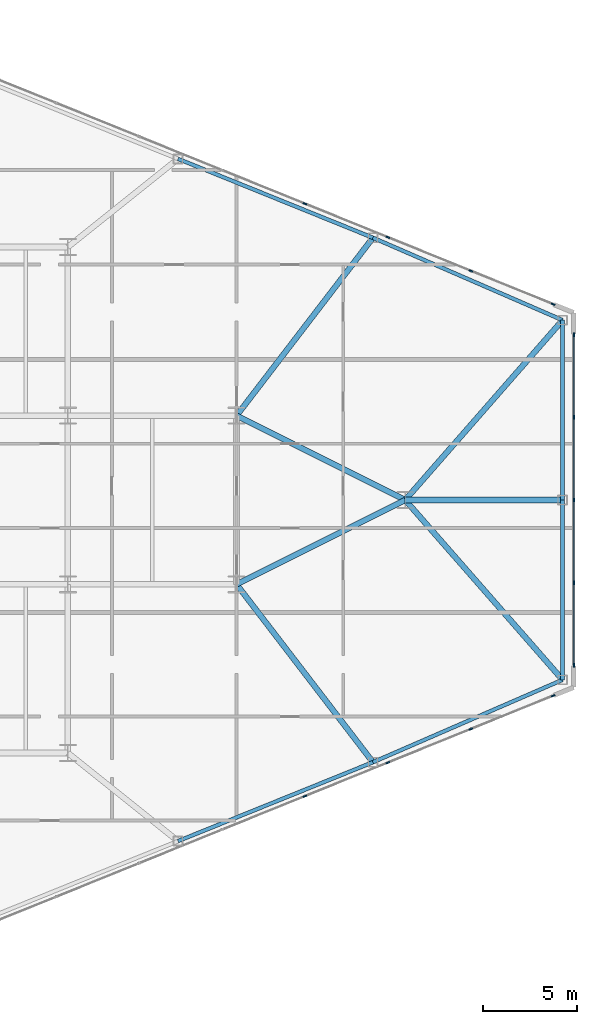
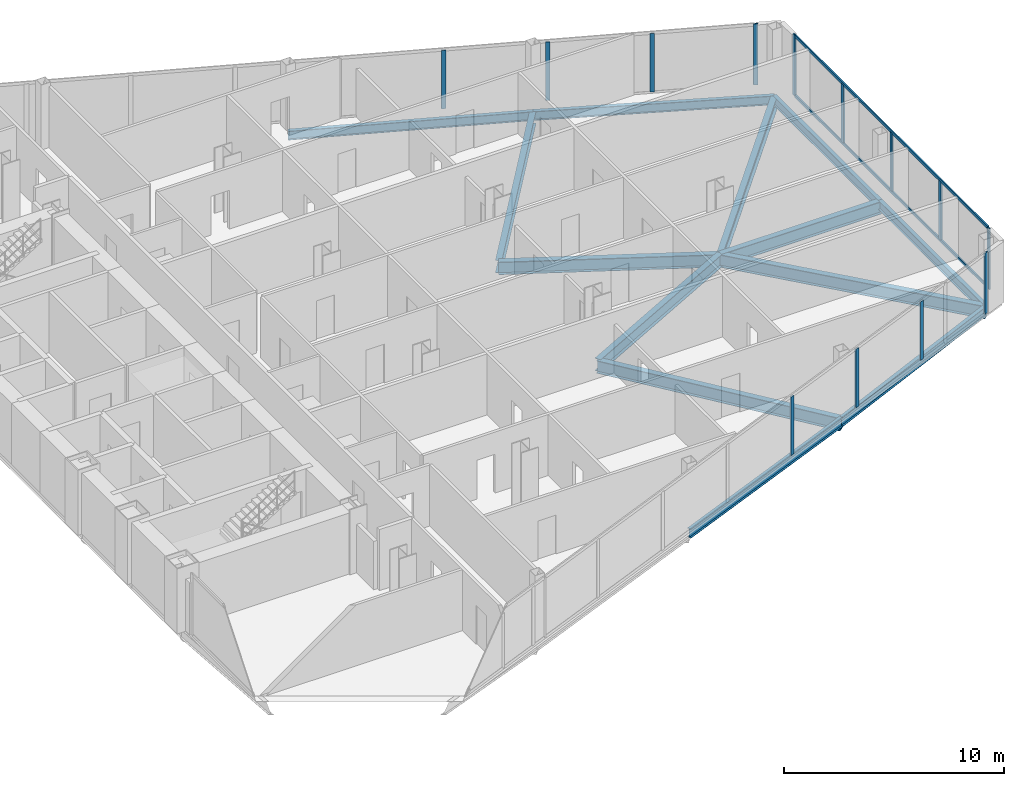
# One storey, part 14 of 25: 15 members, 13 beams, 3 elements without a shape of their own.
"""IFC4 building model written with IfcOpenShell, lengths in metres."""

from ifc_helpers import new_model, si_unit, direction, frame, origin, origin_2d, place, context, subcontext, project, spatial, rectangle, i_section, extrude, source, transform, mapped, material, layer, layer_set, material_profile, profile_set, type_object, type_shapes, element, aggregate, save


model = new_model("IFC4")

# Units and contexts
model_context = context("Model", 3, precision=1e-05, world=origin(), true_north=direction((0.0, 1.0)))
body_context = subcontext(model_context, "Body", "Model", "MODEL_VIEW")
ifc_project = project(units=[si_unit("LENGTHUNIT", "METRE"), si_unit("AREAUNIT", "SQUARE_METRE"), si_unit("VOLUMEUNIT", "CUBIC_METRE"), si_unit("PLANEANGLEUNIT", "RADIAN"), si_unit("MASSUNIT", "GRAM", prefix="KILO")], contexts=[model_context])

# Site, building, storey
site_placement = place(None, origin())
site = spatial("IfcSite", under=ifc_project, at=site_placement, CompositionType="ELEMENT")
building_placement = place(site_placement, origin())
building = spatial("IfcBuilding", under=site, at=building_placement, Name="Seokmaru Belvedere", CompositionType="ELEMENT")
storey_placement = place(building_placement, frame((0.0, 0.0, 29.699951171875)))
storey = spatial("IfcBuildingStorey", under=building, at=storey_placement, Name="L07", CompositionType="ELEMENT", Elevation=29.699951171875)

# Beams
ifc_material_1 = material(Name="Steel SM355 (355 MPa)", Category="steel")
ifc_material_profile_1 = material_profile(ifc_material_1, i_section(OverallWidth=0.300048828125, OverallDepth=0.699951171875, WebThickness=0.012939453125, FlangeThickness=0.02392578125, at=origin_2d()), Name="H-700x300x13x24")
ifc_profile_set_1 = profile_set([ifc_material_profile_1], Name="Steel SM355 (355 MPa)")
beam_type_1 = type_object("IfcBeamType", Name="Primary Floor Girder H-700", PredefinedType="BEAM", material=ifc_profile_set_1)
shared_shape_1 = source(origin(), body_context, "Body", "SweptSolid", [
    extrude(i_section(OverallWidth=0.300048828125, OverallDepth=0.699951171875, WebThickness=0.012939453125, FlangeThickness=0.02392578125, at=origin_2d()), origin(), (0.0, 0.0, 1.0), 10.062255859375),
])
for number, where, z_axis, x_axis, name in (
    (1, (54.5, -4.5, -0.570068359375), (0.894427191, 0.4472135955, 0.0), (-0.4472135955, 0.894427191, 0.0), "L07 E Apex Converging Girder 1"),
    (2, (54.5, 4.5, -0.570068359375), (0.894427191, -0.4472135955, 0.0), (0.4472135955, 0.894427191, 0.0), "L07 E Apex Converging Girder 2"),
):
    element("IfcBeam", number, at=place(storey_placement, frame(where, z_axis=z_axis, x_axis=x_axis)), inside=storey, type_object=beam_type_1, Name=name, PredefinedType="BEAM", context=body_context, shape_type="MappedRepresentation", body=[
        mapped(shared_shape_1, transform((0.0, 0.0, 0.0), scale=1.0)),
    ])
shared_shape_2 = source(origin(), body_context, "Body", "SweptSolid", [
    extrude(i_section(OverallWidth=0.300048828125, OverallDepth=0.699951171875, WebThickness=0.012939453125, FlangeThickness=0.02392578125, at=origin_2d()), origin(), (0.0, 0.0, 1.0), 12.7529296875),
])
for number, where, z_axis, x_axis, name in (
    (3, (71.89990234375, -9.595703125, -0.570068359375), (-0.658667231479, 0.752434368019, 0.0), (-0.752434368019, -0.658667231479, 0.0), "L07 E Apex Radial Floor Girder 1"),
    (4, (71.89990234375, 9.595703125, -0.570068359375), (-0.658667231479, -0.752434368019, 0.0), (0.752434368019, -0.658667231479, 0.0), "L07 E Apex Radial Floor Girder 2"),
):
    element("IfcBeam", number, at=place(storey_placement, frame(where, z_axis=z_axis, x_axis=x_axis)), inside=storey, type_object=beam_type_1, Name=name, PredefinedType="BEAM", context=body_context, shape_type="MappedRepresentation", body=[
        mapped(shared_shape_2, transform((0.0, 0.0, 0.0), scale=1.0)),
    ])
ifc_material_profile_2 = material_profile(ifc_material_1, i_section(OverallWidth=0.199951171875, OverallDepth=0.5, WebThickness=0.010009765625, FlangeThickness=0.01611328125, at=origin_2d()), Name="H-500x200x10x16")
ifc_profile_set_2 = profile_set([ifc_material_profile_2], Name="Steel SM355 (355 MPa)")
beam_type_2 = type_object("IfcBeamType", Name="Perimeter Spandrel Beam H-500", PredefinedType="SPANDREL", material=ifc_profile_set_2)
shared_shape_3 = source(origin(), body_context, "Body", "SweptSolid", [
    extrude(i_section(OverallWidth=0.199951171875, OverallDepth=0.5, WebThickness=0.010009765625, FlangeThickness=0.01611328125, at=origin_2d()), origin(), (0.0, 0.0, 1.0), 11.220703125),
])
for number, where, z_axis, x_axis, name in (
    (5, (51.378173828125, -18.2041015625, -0.469970703125), (0.926944290816, 0.375198989503, 0.0), (-0.375198989503, 0.926944290816, 0.0), "L07 E Faceted Flank Spandrel S-3"),
    (6, (51.378173828125, 18.2041015625, -0.469970703125), (0.926944290816, -0.375198989503, 0.0), (0.375198989503, 0.926944290816, 0.0), "L07 E Faceted Flank Spandrel N-3"),
):
    element("IfcBeam", number, at=place(storey_placement, frame(where, z_axis=z_axis, x_axis=x_axis)), inside=storey, type_object=beam_type_2, Name=name, PredefinedType="SPANDREL", context=body_context, shape_type="MappedRepresentation", body=[
        mapped(shared_shape_3, transform((0.0, 0.0, 0.0), scale=1.0)),
    ])
shared_shape_4 = source(origin(), body_context, "Body", "SweptSolid", [
    extrude(i_section(OverallWidth=0.199951171875, OverallDepth=0.5, WebThickness=0.010009765625, FlangeThickness=0.01611328125, at=origin_2d()), origin(), (0.0, 0.0, 1.0), 11.035400390625),
])
for number, where, z_axis, x_axis, name in (
    (7, (61.779052734375, -13.994140625, -0.469970703125), (0.917134058682, 0.398578873507, 0.0), (-0.398578873507, 0.917134058682, 0.0), "L07 E Faceted Flank Spandrel S-4"),
    (8, (61.779052734375, 13.994140625, -0.469970703125), (0.917134058682, -0.398578873507, 0.0), (0.398578873507, 0.917134058682, 0.0), "L07 E Faceted Flank Spandrel N-4"),
):
    element("IfcBeam", number, at=place(storey_placement, frame(where, z_axis=z_axis, x_axis=x_axis)), inside=storey, type_object=beam_type_2, Name=name, PredefinedType="SPANDREL", context=body_context, shape_type="MappedRepresentation", body=[
        mapped(shared_shape_4, transform((0.0, 0.0, 0.0), scale=1.0)),
    ])
shared_shape_5 = source(origin(), body_context, "Body", "SweptSolid", [
    extrude(i_section(OverallWidth=0.199951171875, OverallDepth=0.5, WebThickness=0.010009765625, FlangeThickness=0.01611328125, at=origin_2d()), origin(), (0.0, 0.0, 1.0), 9.595703125),
])
type_shapes(beam_type_2, [shared_shape_3, shared_shape_4, shared_shape_5])
for number, where, z_axis, x_axis, name in (
    (9, (71.89990234375, -9.595703125, -0.469970703125), (0.0, 1.0, 0.0), (-1.0, 0.0, 0.0), "L07 E Faceted Apex Spandrel S"),
    (10, (71.89990234375, 0.0, -0.469970703125), (0.0, 1.0, 0.0), (-1.0, 0.0, 0.0), "L07 E Faceted Apex Spandrel N"),
):
    element("IfcBeam", number, at=place(storey_placement, frame(where, z_axis=z_axis, x_axis=x_axis)), inside=storey, type_object=beam_type_2, Name=name, PredefinedType="SPANDREL", context=body_context, shape_type="MappedRepresentation", body=[
        mapped(shared_shape_5, transform((0.0, 0.0, 0.0), scale=1.0)),
    ])
shared_shape_6 = source(origin(), body_context, "Body", "SweptSolid", [
    extrude(i_section(OverallWidth=0.300048828125, OverallDepth=0.699951171875, WebThickness=0.012939453125, FlangeThickness=0.02392578125, at=origin_2d()), origin(), (0.0, 0.0, 1.0), 11.96337890625),
])
for number, where, z_axis, x_axis, name in (
    (11, (61.779052734375, -13.994140625, -0.570068359375), (-0.608442682624, 0.793597821294, 0.0), (-0.793597821294, -0.608442682624, 0.0), "L07 E Flank Radial Floor Girder S-3"),
    (12, (61.779052734375, 13.994140625, -0.570068359375), (-0.608442682624, -0.793597821294, 0.0), (0.793597821294, -0.608442682624, 0.0), "L07 E Flank Radial Floor Girder N-3"),
):
    element("IfcBeam", number, at=place(storey_placement, frame(where, z_axis=z_axis, x_axis=x_axis)), inside=storey, type_object=beam_type_1, Name=name, PredefinedType="BEAM", context=body_context, shape_type="MappedRepresentation", body=[
        mapped(shared_shape_6, transform((0.0, 0.0, 0.0), scale=1.0)),
    ])
shared_shape_7 = source(origin(), body_context, "Body", "SweptSolid", [
    extrude(i_section(OverallWidth=0.300048828125, OverallDepth=0.699951171875, WebThickness=0.012939453125, FlangeThickness=0.02392578125, at=origin_2d()), origin(), (0.0, 0.0, 1.0), 8.39990234375),
])
type_shapes(beam_type_1, [shared_shape_1, shared_shape_2, shared_shape_6, shared_shape_7])
beam_placement = place(storey_placement, frame((71.89990234375, 0.0, -0.570068359375), z_axis=(-1.0, 0.0, 0.0), x_axis=(0.0, -1.0, 0.0)))
element("IfcBeam", 13, at=beam_placement, inside=storey, type_object=beam_type_1, Name="L07 E Apex Center Radial Girder", PredefinedType="BEAM", context=body_context, shape_type="MappedRepresentation", body=[
    mapped(shared_shape_7, transform((0.0, 0.0, 0.0), scale=1.0)),
])

# Curtain wall, member
ifc_material_2 = material(Name="Bronze Triple Insulating Glass", Category="glass")
ifc_layer = layer(ifc_material_2, 0.2099609375)
ifc_layer_set = layer_set([ifc_layer], Name="Bronze Triple Insulating Glass")
curtain_wall_type = type_object("IfcCurtainWallType", Name="Low-Rise Faceted Crystal Curtain Wall System CW-2", PredefinedType="NOTDEFINED", material=ifc_layer_set)
curtain_wall_1_placement = place(storey_placement, origin())
curtain_wall_1 = element("IfcCurtainWall", 14, at=curtain_wall_1_placement, inside=storey, type_object=curtain_wall_type, Name="L07 Curtain Wall EF1", PredefinedType="NOTDEFINED")
ifc_material_3 = material(Name="Anodised Bronze Aluminium", Category="aluminium")
ifc_material_profile_3 = material_profile(ifc_material_3, rectangle(XDim=0.074951171875, YDim=0.2099609375, at=origin_2d()), Name="CW-M-75x210")
ifc_profile_set_3 = profile_set([ifc_material_profile_3], Name="Anodised Bronze Aluminium")
member_type_1 = type_object("IfcMemberType", Name="Bronze Unitised Mullion 75x210", PredefinedType="MULLION", material=ifc_profile_set_3)
shared_shape_8 = source(origin(), body_context, "Body", "SweptSolid", [
    extrude(rectangle(XDim=0.074951171875, YDim=0.2099609375, at=origin_2d()), origin(), (0.0, 0.0, 1.0), 3.380126953125),
])
member_1_placement = place(storey_placement, frame((71.399169921875, -10.445556640625, 0.0), z_axis=(0.0, 0.0, 1.0), x_axis=(-0.375192321888, 0.926946989637, 0.0)))
member_1 = element("IfcMember", 15, at=member_1_placement, type_object=member_type_1, Name="CW:L07:EF1 Mullion 10", PredefinedType="MULLION", context=body_context, shape_type="MappedRepresentation", body=[
    mapped(shared_shape_8, transform((0.0, 0.0, 0.0), scale=1.0)),
])

# Curtain wall, members
curtain_wall_2_placement = place(storey_placement, origin())
curtain_wall_2 = element("IfcCurtainWall", 16, at=curtain_wall_2_placement, inside=storey, type_object=curtain_wall_type, Name="L07 Curtain Wall EF2", PredefinedType="NOTDEFINED")
member_2_placement = place(storey_placement, frame((72.5, -8.8125, 0.0), z_axis=(0.0, 0.0, 1.0), x_axis=(-1.0, 0.0, 0.0)))
member_2 = element("IfcMember", 17, at=member_2_placement, type_object=member_type_1, Name="CW:L07:EF2 Mullion 1", PredefinedType="MULLION", context=body_context, shape_type="MappedRepresentation", body=[
    mapped(shared_shape_8, transform((0.0, 0.0, 0.0), scale=1.0)),
])
member_3_placement = place(storey_placement, frame((72.5, 8.8125, 0.0), z_axis=(0.0, 0.0, 1.0), x_axis=(-1.0, 0.0, 0.0)))
member_3 = element("IfcMember", 18, at=member_3_placement, type_object=member_type_1, Name="CW:L07:EF2 Mullion 5", PredefinedType="MULLION", context=body_context, shape_type="MappedRepresentation", body=[
    mapped(shared_shape_8, transform((0.0, 0.0, 0.0), scale=1.0)),
])

# Curtain wall, member
curtain_wall_3_placement = place(storey_placement, origin())
curtain_wall_3 = element("IfcCurtainWall", 19, at=curtain_wall_3_placement, inside=storey, type_object=curtain_wall_type, Name="L07 Curtain Wall EF3", PredefinedType="NOTDEFINED")
member_4_placement = place(storey_placement, frame((71.399169921875, 10.445556640625, 0.0), z_axis=(0.0, 0.0, 1.0), x_axis=(-0.375192321888, -0.926946989637, 0.0)))
member_4 = element("IfcMember", 20, at=member_4_placement, type_object=member_type_1, Name="CW:L07:EF3 Mullion 1", PredefinedType="MULLION", context=body_context, shape_type="MappedRepresentation", body=[
    mapped(shared_shape_8, transform((0.0, 0.0, 0.0), scale=1.0)),
])

# Member
shared_shape_9 = source(origin(), body_context, "Body", "SweptSolid", [
    extrude(rectangle(XDim=0.074951171875, YDim=0.2099609375, at=origin_2d()), origin(), (0.0, 0.0, 1.0), 3.239990234375),
])
type_shapes(member_type_1, [shared_shape_8, shared_shape_9])
member_5_placement = place(storey_placement, frame((58.144775390625, -15.810546875, 0.070068359375), z_axis=(0.0, 0.0, 1.0), x_axis=(-0.375192321888, 0.926946989637, 0.0)))
member_5 = element("IfcMember", 21, at=member_5_placement, type_object=member_type_1, Name="CW:L07:EF1 Mullion 7", PredefinedType="MULLION", context=body_context, shape_type="MappedRepresentation", body=[
    mapped(shared_shape_9, transform((0.0, 0.0, 0.0), scale=1.0)),
])

member_6_placement = place(storey_placement, frame((62.574462890625, -14.017578125, 0.070068359375), z_axis=(0.0, 0.0, 1.0), x_axis=(-0.375192321888, 0.926946989637, 0.0)))
member_6 = element("IfcMember", 22, at=member_6_placement, type_object=member_type_1, Name="CW:L07:EF1 Mullion 8", PredefinedType="MULLION", context=body_context, shape_type="MappedRepresentation", body=[
    mapped(shared_shape_9, transform((0.0, 0.0, 0.0), scale=1.0)),
])

member_7_placement = place(storey_placement, frame((67.004150390625, -12.224609375, 0.070068359375), z_axis=(0.0, 0.0, 1.0), x_axis=(-0.375192321888, 0.926946989637, 0.0)))
member_7 = element("IfcMember", 23, at=member_7_placement, type_object=member_type_1, Name="CW:L07:EF1 Mullion 9", PredefinedType="MULLION", context=body_context, shape_type="MappedRepresentation", body=[
    mapped(shared_shape_9, transform((0.0, 0.0, 0.0), scale=1.0)),
])

aggregate(curtain_wall_1, [member_5, member_6, member_7, member_1])

member_8_placement = place(storey_placement, frame((72.5, -4.425048828125, 0.070068359375), z_axis=(0.0, 0.0, 1.0), x_axis=(-1.0, 0.0, 0.0)))
member_8 = element("IfcMember", 24, at=member_8_placement, type_object=member_type_1, Name="CW:L07:EF2 Mullion 2", PredefinedType="MULLION", context=body_context, shape_type="MappedRepresentation", body=[
    mapped(shared_shape_9, transform((0.0, 0.0, 0.0), scale=1.0)),
])

member_9_placement = place(storey_placement, frame((72.5, 0.0, 0.070068359375), z_axis=(0.0, 0.0, 1.0), x_axis=(-1.0, 0.0, 0.0)))
member_9 = element("IfcMember", 25, at=member_9_placement, type_object=member_type_1, Name="CW:L07:EF2 Mullion 3", PredefinedType="MULLION", context=body_context, shape_type="MappedRepresentation", body=[
    mapped(shared_shape_9, transform((0.0, 0.0, 0.0), scale=1.0)),
])

member_10_placement = place(storey_placement, frame((72.5, 4.425048828125, 0.070068359375), z_axis=(0.0, 0.0, 1.0), x_axis=(-1.0, 0.0, 0.0)))
member_10 = element("IfcMember", 26, at=member_10_placement, type_object=member_type_1, Name="CW:L07:EF2 Mullion 4", PredefinedType="MULLION", context=body_context, shape_type="MappedRepresentation", body=[
    mapped(shared_shape_9, transform((0.0, 0.0, 0.0), scale=1.0)),
])

member_11_placement = place(storey_placement, frame((67.004150390625, 12.224609375, 0.070068359375), z_axis=(0.0, 0.0, 1.0), x_axis=(-0.375192321888, -0.926946989637, 0.0)))
member_11 = element("IfcMember", 27, at=member_11_placement, type_object=member_type_1, Name="CW:L07:EF3 Mullion 2", PredefinedType="MULLION", context=body_context, shape_type="MappedRepresentation", body=[
    mapped(shared_shape_9, transform((0.0, 0.0, 0.0), scale=1.0)),
])

member_12_placement = place(storey_placement, frame((62.574462890625, 14.017578125, 0.070068359375), z_axis=(0.0, 0.0, 1.0), x_axis=(-0.375192321888, -0.926946989637, 0.0)))
member_12 = element("IfcMember", 28, at=member_12_placement, type_object=member_type_1, Name="CW:L07:EF3 Mullion 3", PredefinedType="MULLION", context=body_context, shape_type="MappedRepresentation", body=[
    mapped(shared_shape_9, transform((0.0, 0.0, 0.0), scale=1.0)),
])

member_13_placement = place(storey_placement, frame((58.144775390625, 15.810546875, 0.070068359375), z_axis=(0.0, 0.0, 1.0), x_axis=(-0.375192321888, -0.926946989637, 0.0)))
member_13 = element("IfcMember", 29, at=member_13_placement, type_object=member_type_1, Name="CW:L07:EF3 Mullion 4", PredefinedType="MULLION", context=body_context, shape_type="MappedRepresentation", body=[
    mapped(shared_shape_9, transform((0.0, 0.0, 0.0), scale=1.0)),
])

aggregate(curtain_wall_3, [member_4, member_11, member_12, member_13])

ifc_material_profile_4 = material_profile(ifc_material_3, rectangle(XDim=0.070068359375, YDim=0.1650390625, at=origin_2d()), Name="CW-T-70x165")
ifc_profile_set_4 = profile_set([ifc_material_profile_4], Name="Anodised Bronze Aluminium")
member_type_2 = type_object("IfcMemberType", Name="Bronze Unitised Transom 70x165", PredefinedType="USERDEFINED", material=ifc_profile_set_4)
shared_shape_10 = source(origin(), body_context, "Body", "SweptSolid", [
    extrude(rectangle(XDim=0.070068359375, YDim=0.1650390625, at=origin_2d()), origin(), (0.0, 0.0, 1.0), 17.5498046875),
])
type_shapes(member_type_2, [shared_shape_10])
member_14_placement = place(storey_placement, frame((72.5, -8.77490234375, 0.03515625), z_axis=(0.0, 1.0, 0.0), x_axis=(-1.0, 0.0, 0.0)))
member_14 = element("IfcMember", 30, at=member_14_placement, type_object=member_type_2, Name="CW:L07:EF2 Continuous Transom 1", ObjectType="TRANSOM", PredefinedType="USERDEFINED", context=body_context, shape_type="MappedRepresentation", body=[
    mapped(shared_shape_10, transform((0.0, 0.0, 0.0), scale=1.0)),
])

member_15_placement = place(storey_placement, frame((72.5, -8.77490234375, 3.344970703125), z_axis=(0.0, 1.0, 0.0), x_axis=(-1.0, 0.0, 0.0)))
member_15 = element("IfcMember", 31, at=member_15_placement, type_object=member_type_2, Name="CW:L07:EF2 Continuous Transom 2", ObjectType="TRANSOM", PredefinedType="USERDEFINED", context=body_context, shape_type="MappedRepresentation", body=[
    mapped(shared_shape_10, transform((0.0, 0.0, 0.0), scale=1.0)),
])

aggregate(curtain_wall_2, [member_2, member_8, member_9, member_10, member_3, member_14, member_15])

save(model, "model.ifc")
